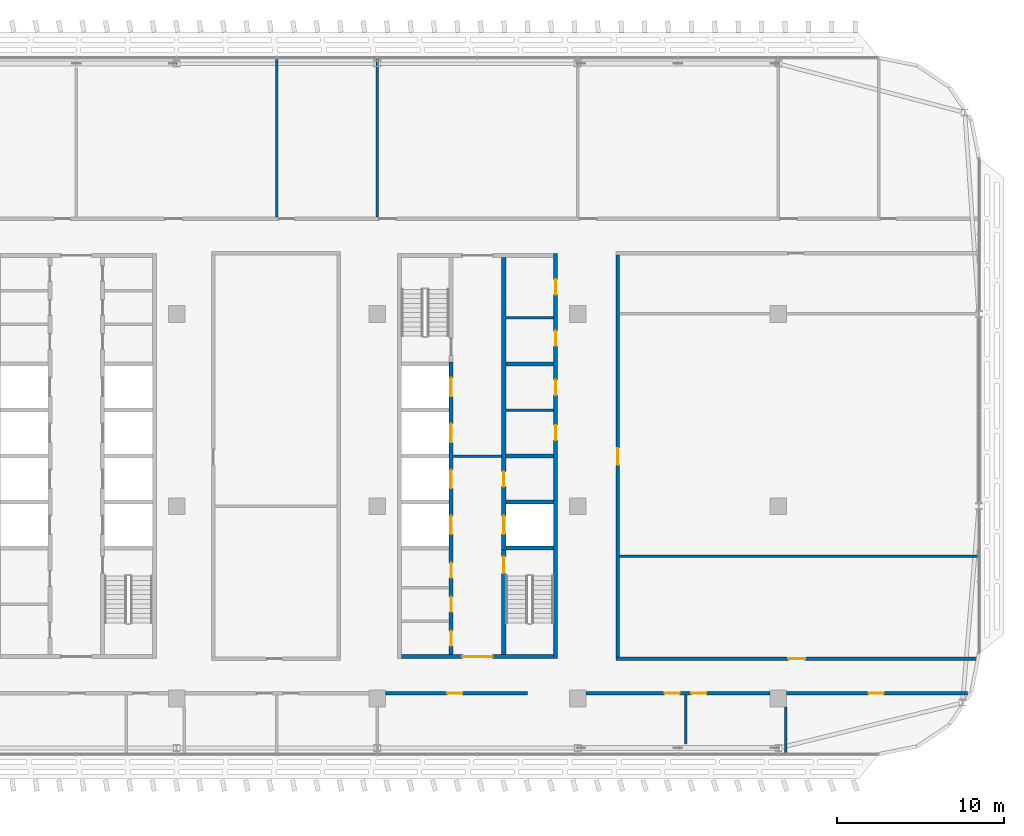
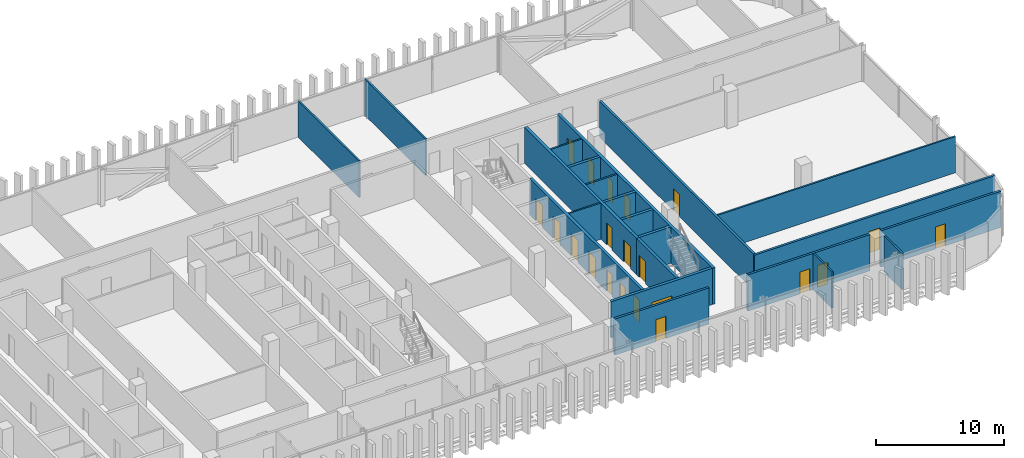
# One storey, part 21 of 35: 22 walls, 21 doors, 21 openings.
"""IFC4 building model written with IfcOpenShell, lengths in metres."""

from ifc_helpers import new_model, si_unit, direction, frame, frame_2d, origin, place, context, subcontext, project, spatial, rectangle, extrude, material, layer, layer_set, type_object, element, fill, save


model = new_model("IFC4")

# Units and contexts
model_context = context("Model", 3, precision=1e-05, world=origin(), true_north=direction((0.0, 1.0)))
body_context = subcontext(model_context, "Body", "Model", "MODEL_VIEW")
ifc_project = project(units=[si_unit("LENGTHUNIT", "METRE"), si_unit("AREAUNIT", "SQUARE_METRE"), si_unit("VOLUMEUNIT", "CUBIC_METRE"), si_unit("PLANEANGLEUNIT", "RADIAN"), si_unit("MASSUNIT", "GRAM", prefix="KILO")], contexts=[model_context])

# Site, building, storey
site_placement = place(None, origin())
site = spatial("IfcSite", under=ifc_project, at=site_placement, CompositionType="ELEMENT")
building_placement = place(site_placement, origin())
building = spatial("IfcBuilding", under=site, at=building_placement, Name="Mahtab Terrace Research Tower", CompositionType="ELEMENT")
storey_placement = place(building_placement, frame((0.0, 0.0, 251.39990234375)))
storey = spatial("IfcBuildingStorey", under=building, at=storey_placement, Name="L61", CompositionType="ELEMENT", Elevation=251.39990234375)

# Walls
ifc_material_1 = material(Name="Gypsum board partition")
ifc_layer_1 = layer(ifc_material_1, 0.14990234375)
ifc_layer_set_1 = layer_set([ifc_layer_1], Name="Core partition 150")
wall_type_1 = type_object("IfcWallType", Name="Core partition 150", PredefinedType="PARTITIONING", material=ifc_layer_set_1)
wall_1_placement = place(storey_placement, frame((22.550048828125, 3.0, 0.0), z_axis=(0.0, 0.0, 1.0), x_axis=(1.0, 0.0, 0.0)))
element("IfcWall", 1, at=wall_1_placement, inside=storey, type_object=wall_type_1, Name="Core wall C ffl", PredefinedType="PARTITIONING", context=body_context, shape_type="SweptSolid", body=[
    extrude(rectangle(XDim=2.89990234375, YDim=0.14990234375, at=frame_2d((1.449951171875, 0.0))), origin(), (0.0, 0.0, 1.0), 3.460205078125),
])
for number, where, z_axis, x_axis, name in (
    (2, (25.699951171875, 5.75, 0.0), (0.0, 0.0, 1.0), (1.0, 0.0, 0.0), "Core wall C pEL275"),
    (3, (25.699951171875, 11.27490234375, 0.0), (0.0, 0.0, 1.0), (1.0, 0.0, 0.0), "Core wall C pEN828"),
):
    element("IfcWall", number, at=place(storey_placement, frame(where, z_axis=z_axis, x_axis=x_axis)), inside=storey, type_object=wall_type_1, Name=name, PredefinedType="PARTITIONING", context=body_context, shape_type="SweptSolid", body=[
        extrude(rectangle(XDim=2.85009765625, YDim=0.14990234375, at=frame_2d((1.425048828125, 0.0))), origin(), (0.0, 0.0, 1.0), 3.460205078125),
    ])

# Wall, openings, doors
ifc_material_2 = material(Name="Concrete C70/85", Category="concrete")
ifc_layer_2 = layer(ifc_material_2, 0.25)
ifc_layer_set_2 = layer_set([ifc_layer_2], Name="Core wall 250")
wall_type_2 = type_object("IfcWallType", Name="Core wall 250", PredefinedType="SOLIDWALL", material=ifc_layer_set_2)
wall_2_placement = place(storey_placement, frame((28.675048828125, -9.125, 0.0), z_axis=(0.0, 0.0, 1.0), x_axis=(0.0, 1.0, 0.0)))
wall_2 = element("IfcWall", 4, at=wall_2_placement, inside=storey, type_object=wall_type_2, Name="Core wall C outerE", PredefinedType="SOLIDWALL", context=body_context, shape_type="SweptSolid", body=[
    extrude(rectangle(XDim=24.25, YDim=0.25, at=frame_2d((12.125, 0.0))), origin(), (0.0, 0.0, 1.0), 3.460205078125),
])
opening_1_placement = place(wall_2_placement, frame((13.074951171875, 0.0, 0.0)))
opening_1 = element("IfcOpeningElement", 5, at=opening_1_placement, cuts=wall_2, Name="Opening C-R2", PredefinedType="OPENING", context=body_context, shape_type="SweptSolid", body=[
    extrude(rectangle(XDim=0.89990234375, YDim=2.10009765625, at=frame_2d((0.449951171875, 1.050048828125))), frame((0.0, 0.135009765625, 0.0), z_axis=(0.0, -1.0, 0.0), x_axis=(1.0, 0.0, 0.0)), (0.0, 0.0, 1.0), 0.27001953125),
])
opening_2_placement = place(wall_2_placement, frame((15.77490234375, 0.0, 0.0)))
opening_2 = element("IfcOpeningElement", 6, at=opening_2_placement, cuts=wall_2, Name="Opening C-R3", PredefinedType="OPENING", context=body_context, shape_type="SweptSolid", body=[
    extrude(rectangle(XDim=0.89990234375, YDim=2.10009765625, at=frame_2d((0.449951171875, 1.050048828125))), frame((0.0, 0.135009765625, 0.0), z_axis=(0.0, -1.0, 0.0), x_axis=(1.0, 0.0, 0.0)), (0.0, 0.0, 1.0), 0.27001953125),
])
opening_3_placement = place(wall_2_placement, frame((18.71240234375, 0.0, 0.0)))
opening_3 = element("IfcOpeningElement", 7, at=opening_3_placement, cuts=wall_2, Name="Opening C-R7", PredefinedType="OPENING", context=body_context, shape_type="SweptSolid", body=[
    extrude(rectangle(XDim=0.89990234375, YDim=2.10009765625, at=frame_2d((0.449951171875, 1.050048828125))), frame((0.0, 0.135009765625, 0.0), z_axis=(0.0, -1.0, 0.0), x_axis=(1.0, 0.0, 0.0)), (0.0, 0.0, 1.0), 0.27001953125),
])
opening_4_placement = place(wall_2_placement, frame((21.78759765625, 0.0, 0.0)))
opening_4 = element("IfcOpeningElement", 8, at=opening_4_placement, cuts=wall_2, Name="Opening C-R8", PredefinedType="OPENING", context=body_context, shape_type="SweptSolid", body=[
    extrude(rectangle(XDim=0.89990234375, YDim=2.10009765625, at=frame_2d((0.449951171875, 1.050048828125))), frame((0.0, 0.135009765625, 0.0), z_axis=(0.0, -1.0, 0.0), x_axis=(1.0, 0.0, 0.0)), (0.0, 0.0, 1.0), 0.27001953125),
])
ifc_material_3 = material(Name="Steel fire door", Category="steel")
door_type_1 = type_object("IfcDoorType", Name="Room door 900x2100 1 HR", OperationType="NOTDEFINED", PredefinedType="DOOR", material=ifc_material_3)
door_1_placement = place(opening_1_placement, origin())
door_1 = element("IfcDoor", 9, at=door_1_placement, inside=storey, type_object=door_type_1, Name="Document store door", OperationType="SINGLE_SWING_RIGHT", OverallHeight=2.10009765625, OverallWidth=0.89990234375, PredefinedType="DOOR", context=body_context, shape_type="SweptSolid", body=[
    extrude(rectangle(XDim=0.89990234375, YDim=2.10009765625, at=frame_2d((0.449951171875, 1.050048828125))), frame((0.0, 0.02490234375, 0.0), z_axis=(0.0, -1.0, 0.0), x_axis=(1.0, 0.0, 0.0)), (0.0, 0.0, 1.0), 0.050048828125),
])
fill(opening_1, door_1)
door_2_placement = place(opening_2_placement, origin())
door_2 = element("IfcDoor", 10, at=door_2_placement, inside=storey, type_object=door_type_1, Name="IT equipment room door", OperationType="SINGLE_SWING_LEFT", OverallHeight=2.10009765625, OverallWidth=0.89990234375, PredefinedType="DOOR", context=body_context, shape_type="SweptSolid", body=[
    extrude(rectangle(XDim=0.89990234375, YDim=2.10009765625, at=frame_2d((0.449951171875, 1.050048828125))), frame((0.0, 0.02490234375, 0.0), z_axis=(0.0, -1.0, 0.0), x_axis=(1.0, 0.0, 0.0)), (0.0, 0.0, 1.0), 0.050048828125),
])
fill(opening_2, door_2)
door_3_placement = place(opening_3_placement, origin())
door_3 = element("IfcDoor", 11, at=door_3_placement, inside=storey, type_object=door_type_1, Name="Mechanical riser room door", OperationType="SINGLE_SWING_LEFT", OverallHeight=2.10009765625, OverallWidth=0.89990234375, PredefinedType="DOOR", context=body_context, shape_type="SweptSolid", body=[
    extrude(rectangle(XDim=0.89990234375, YDim=2.10009765625, at=frame_2d((0.449951171875, 1.050048828125))), frame((0.0, 0.02490234375, 0.0), z_axis=(0.0, -1.0, 0.0), x_axis=(1.0, 0.0, 0.0)), (0.0, 0.0, 1.0), 0.050048828125),
])
fill(opening_3, door_3)
door_4_placement = place(opening_4_placement, origin())
door_4 = element("IfcDoor", 12, at=door_4_placement, inside=storey, type_object=door_type_1, Name="Chemical store door", OperationType="SINGLE_SWING_RIGHT", OverallHeight=2.10009765625, OverallWidth=0.89990234375, PredefinedType="DOOR", context=body_context, shape_type="SweptSolid", body=[
    extrude(rectangle(XDim=0.89990234375, YDim=2.10009765625, at=frame_2d((0.449951171875, 1.050048828125))), frame((0.0, 0.02490234375, 0.0), z_axis=(0.0, -1.0, 0.0), x_axis=(1.0, 0.0, 0.0)), (0.0, 0.0, 1.0), 0.050048828125),
])
fill(opening_4, door_4)

# Wall, opening, door
wall_3_placement = place(storey_placement, frame((28.550048828125, -9.0, 0.0), z_axis=(0.0, 0.0, 1.0), x_axis=(-1.0, 0.0, 0.0)))
wall_3 = element("IfcWall", 13, at=wall_3_placement, inside=storey, type_object=wall_type_2, Name="Core wall C endS", PredefinedType="SOLIDWALL", context=body_context, shape_type="SweptSolid", body=[
    extrude(rectangle(XDim=9.10009765625, YDim=0.25, at=frame_2d((4.550048828125, 0.0))), origin(), (0.0, 0.0, 1.0), 3.460205078125),
])
opening_5_placement = place(wall_3_placement, frame((3.64990234375, 0.0, 0.0)))
opening_5 = element("IfcOpeningElement", 14, at=opening_5_placement, cuts=wall_3, Name="Opening C-S1", PredefinedType="OPENING", context=body_context, shape_type="SweptSolid", body=[
    extrude(rectangle(XDim=1.800048828125, YDim=2.10009765625, at=frame_2d((0.89990234375, 1.050048828125))), frame((0.0, 0.135009765625, 0.0), z_axis=(0.0, -1.0, 0.0), x_axis=(1.0, 0.0, 0.0)), (0.0, 0.0, 1.0), 0.27001953125),
])
door_type_2 = type_object("IfcDoorType", Name="Lobby double door 1800x2100 1 HR", OperationType="DOUBLE_DOOR_SINGLE_SWING", PredefinedType="DOOR", material=ifc_material_3)
door_5_placement = place(opening_5_placement, origin())
door_5 = element("IfcDoor", 15, at=door_5_placement, inside=storey, type_object=door_type_2, Name="Core entrance door C S", OperationType="DOUBLE_DOOR_SINGLE_SWING", OverallHeight=2.10009765625, OverallWidth=1.800048828125, PredefinedType="DOOR", context=body_context, shape_type="SweptSolid", body=[
    extrude(rectangle(XDim=1.800048828125, YDim=2.10009765625, at=frame_2d((0.89990234375, 1.050048828125))), frame((0.0, 0.02490234375, 0.0), z_axis=(0.0, -1.0, 0.0), x_axis=(1.0, 0.0, 0.0)), (0.0, 0.0, 1.0), 0.050048828125),
])
fill(opening_5, door_5)

# Wall, openings, doors
wall_4_placement = place(storey_placement, frame((22.425048828125, -8.875, 0.0), z_axis=(0.0, 0.0, 1.0), x_axis=(0.0, 1.0, 0.0)))
wall_4 = element("IfcWall", 16, at=wall_4_placement, inside=storey, type_object=wall_type_2, Name="Core wall C innerWSL", PredefinedType="SOLIDWALL", context=body_context, shape_type="SweptSolid", body=[
    extrude(rectangle(XDim=17.5, YDim=0.25, at=frame_2d((8.75, 0.0))), origin(), (0.0, 0.0, 1.0), 3.460205078125),
])
opening_6_placement = place(wall_4_placement, frame((7.199951171875, 0.0, 0.0)))
opening_6 = element("IfcOpeningElement", 17, at=opening_6_placement, cuts=wall_4, Name="Opening LD17-L61", PredefinedType="OPENING", context=body_context, shape_type="SweptSolid", body=[
    extrude(rectangle(XDim=1.10009765625, YDim=2.10009765625, at=frame_2d((0.550048828125, 1.050048828125))), frame((0.0, 0.135009765625, 0.0), z_axis=(0.0, -1.0, 0.0), x_axis=(1.0, 0.0, 0.0)), (0.0, 0.0, 1.0), 0.27001953125),
])
opening_7_placement = place(wall_4_placement, frame((9.949951171875, 0.0, 0.0)))
opening_7 = element("IfcOpeningElement", 18, at=opening_7_placement, cuts=wall_4, Name="Opening LD18-L61", PredefinedType="OPENING", context=body_context, shape_type="SweptSolid", body=[
    extrude(rectangle(XDim=1.10009765625, YDim=2.10009765625, at=frame_2d((0.550048828125, 1.050048828125))), frame((0.0, 0.135009765625, 0.0), z_axis=(0.0, -1.0, 0.0), x_axis=(1.0, 0.0, 0.0)), (0.0, 0.0, 1.0), 0.27001953125),
])
opening_8_placement = place(wall_4_placement, frame((12.699951171875, 0.0, 0.0)))
opening_8 = element("IfcOpeningElement", 19, at=opening_8_placement, cuts=wall_4, Name="Opening LD19-L61", PredefinedType="OPENING", context=body_context, shape_type="SweptSolid", body=[
    extrude(rectangle(XDim=1.10009765625, YDim=2.10009765625, at=frame_2d((0.550048828125, 1.050048828125))), frame((0.0, 0.135009765625, 0.0), z_axis=(0.0, -1.0, 0.0), x_axis=(1.0, 0.0, 0.0)), (0.0, 0.0, 1.0), 0.27001953125),
])
opening_9_placement = place(wall_4_placement, frame((15.449951171875, 0.0, 0.0)))
opening_9 = element("IfcOpeningElement", 20, at=opening_9_placement, cuts=wall_4, Name="Opening LD20-L61", PredefinedType="OPENING", context=body_context, shape_type="SweptSolid", body=[
    extrude(rectangle(XDim=1.10009765625, YDim=2.10009765625, at=frame_2d((0.550048828125, 1.050048828125))), frame((0.0, 0.135009765625, 0.0), z_axis=(0.0, -1.0, 0.0), x_axis=(1.0, 0.0, 0.0)), (0.0, 0.0, 1.0), 0.27001953125),
])
opening_10_placement = place(wall_4_placement, frame((0.512451171875, 0.0, 0.0)))
opening_10 = element("IfcOpeningElement", 21, at=opening_10_placement, cuts=wall_4, Name="Opening C-R4", PredefinedType="OPENING", context=body_context, shape_type="SweptSolid", body=[
    extrude(rectangle(XDim=0.89990234375, YDim=2.10009765625, at=frame_2d((0.449951171875, 1.050048828125))), frame((0.0, 0.135009765625, 0.0), z_axis=(0.0, -1.0, 0.0), x_axis=(1.0, 0.0, 0.0)), (0.0, 0.0, 1.0), 0.27001953125),
])
opening_11_placement = place(wall_4_placement, frame((2.550048828125, 0.0, 0.0)))
opening_11 = element("IfcOpeningElement", 22, at=opening_11_placement, cuts=wall_4, Name="Opening C-R5", PredefinedType="OPENING", context=body_context, shape_type="SweptSolid", body=[
    extrude(rectangle(XDim=0.89990234375, YDim=2.10009765625, at=frame_2d((0.449951171875, 1.050048828125))), frame((0.0, 0.135009765625, 0.0), z_axis=(0.0, -1.0, 0.0), x_axis=(1.0, 0.0, 0.0)), (0.0, 0.0, 1.0), 0.27001953125),
])
opening_12_placement = place(wall_4_placement, frame((4.58740234375, 0.0, 0.0)))
opening_12 = element("IfcOpeningElement", 23, at=opening_12_placement, cuts=wall_4, Name="Opening C-R6", PredefinedType="OPENING", context=body_context, shape_type="SweptSolid", body=[
    extrude(rectangle(XDim=0.89990234375, YDim=2.10009765625, at=frame_2d((0.449951171875, 1.050048828125))), frame((0.0, 0.135009765625, 0.0), z_axis=(0.0, -1.0, 0.0), x_axis=(1.0, 0.0, 0.0)), (0.0, 0.0, 1.0), 0.27001953125),
])
ifc_material_4 = material(Name="Stainless steel AISI 304", Category="steel")
door_type_3 = type_object("IfcDoorType", Name="Landing door 1100x2100", OperationType="DOUBLE_DOOR_SLIDING", PredefinedType="DOOR", material=ifc_material_4)
door_6_placement = place(opening_6_placement, origin())
door_6 = element("IfcDoor", 24, at=door_6_placement, inside=storey, type_object=door_type_3, Name="Landing door SV1 L61", OperationType="DOUBLE_DOOR_SLIDING", OverallHeight=2.10009765625, OverallWidth=1.10009765625, PredefinedType="DOOR", context=body_context, shape_type="SweptSolid", body=[
    extrude(rectangle(XDim=1.10009765625, YDim=2.10009765625, at=frame_2d((0.550048828125, 1.050048828125))), frame((0.0, 0.02490234375, 0.0), z_axis=(0.0, -1.0, 0.0), x_axis=(1.0, 0.0, 0.0)), (0.0, 0.0, 1.0), 0.050048828125),
])
fill(opening_6, door_6)
door_7_placement = place(opening_7_placement, origin())
door_7 = element("IfcDoor", 25, at=door_7_placement, inside=storey, type_object=door_type_3, Name="Landing door SV2 L61", OperationType="DOUBLE_DOOR_SLIDING", OverallHeight=2.10009765625, OverallWidth=1.10009765625, PredefinedType="DOOR", context=body_context, shape_type="SweptSolid", body=[
    extrude(rectangle(XDim=1.10009765625, YDim=2.10009765625, at=frame_2d((0.550048828125, 1.050048828125))), frame((0.0, 0.02490234375, 0.0), z_axis=(0.0, -1.0, 0.0), x_axis=(1.0, 0.0, 0.0)), (0.0, 0.0, 1.0), 0.050048828125),
])
fill(opening_7, door_7)
door_8_placement = place(opening_8_placement, origin())
door_8 = element("IfcDoor", 26, at=door_8_placement, inside=storey, type_object=door_type_3, Name="Landing door FF1 L61", OperationType="DOUBLE_DOOR_SLIDING", OverallHeight=2.10009765625, OverallWidth=1.10009765625, PredefinedType="DOOR", context=body_context, shape_type="SweptSolid", body=[
    extrude(rectangle(XDim=1.10009765625, YDim=2.10009765625, at=frame_2d((0.550048828125, 1.050048828125))), frame((0.0, 0.02490234375, 0.0), z_axis=(0.0, -1.0, 0.0), x_axis=(1.0, 0.0, 0.0)), (0.0, 0.0, 1.0), 0.050048828125),
])
fill(opening_8, door_8)
door_9_placement = place(opening_9_placement, origin())
door_9 = element("IfcDoor", 27, at=door_9_placement, inside=storey, type_object=door_type_3, Name="Landing door FF2 L61", OperationType="DOUBLE_DOOR_SLIDING", OverallHeight=2.10009765625, OverallWidth=1.10009765625, PredefinedType="DOOR", context=body_context, shape_type="SweptSolid", body=[
    extrude(rectangle(XDim=1.10009765625, YDim=2.10009765625, at=frame_2d((0.550048828125, 1.050048828125))), frame((0.0, 0.02490234375, 0.0), z_axis=(0.0, -1.0, 0.0), x_axis=(1.0, 0.0, 0.0)), (0.0, 0.0, 1.0), 0.050048828125),
])
fill(opening_9, door_9)
door_10_placement = place(opening_10_placement, origin())
door_10 = element("IfcDoor", 28, at=door_10_placement, inside=storey, type_object=door_type_1, Name="Male WC door", OperationType="SINGLE_SWING_RIGHT", OverallHeight=2.10009765625, OverallWidth=0.89990234375, PredefinedType="DOOR", context=body_context, shape_type="SweptSolid", body=[
    extrude(rectangle(XDim=0.89990234375, YDim=2.10009765625, at=frame_2d((0.449951171875, 1.050048828125))), frame((0.0, 0.02490234375, 0.0), z_axis=(0.0, -1.0, 0.0), x_axis=(1.0, 0.0, 0.0)), (0.0, 0.0, 1.0), 0.050048828125),
])
fill(opening_10, door_10)
door_11_placement = place(opening_11_placement, origin())
door_11 = element("IfcDoor", 29, at=door_11_placement, inside=storey, type_object=door_type_1, Name="Female WC door", OperationType="SINGLE_SWING_LEFT", OverallHeight=2.10009765625, OverallWidth=0.89990234375, PredefinedType="DOOR", context=body_context, shape_type="SweptSolid", body=[
    extrude(rectangle(XDim=0.89990234375, YDim=2.10009765625, at=frame_2d((0.449951171875, 1.050048828125))), frame((0.0, 0.02490234375, 0.0), z_axis=(0.0, -1.0, 0.0), x_axis=(1.0, 0.0, 0.0)), (0.0, 0.0, 1.0), 0.050048828125),
])
fill(opening_11, door_11)
door_12_placement = place(opening_12_placement, origin())
door_12 = element("IfcDoor", 30, at=door_12_placement, inside=storey, type_object=door_type_1, Name="Accessible WC door", OperationType="SINGLE_SWING_RIGHT", OverallHeight=2.10009765625, OverallWidth=0.89990234375, PredefinedType="DOOR", context=body_context, shape_type="SweptSolid", body=[
    extrude(rectangle(XDim=0.89990234375, YDim=2.10009765625, at=frame_2d((0.449951171875, 1.050048828125))), frame((0.0, 0.02490234375, 0.0), z_axis=(0.0, -1.0, 0.0), x_axis=(1.0, 0.0, 0.0)), (0.0, 0.0, 1.0), 0.050048828125),
])
fill(opening_12, door_12)

# Wall, opening, door
wall_5_placement = place(storey_placement, frame((25.574951171875, -8.875, 0.0), z_axis=(0.0, 0.0, 1.0), x_axis=(0.0, 1.0, 0.0)))
wall_5 = element("IfcWall", 31, at=wall_5_placement, inside=storey, type_object=wall_type_2, Name="Core wall C innerES", PredefinedType="SOLIDWALL", context=body_context, shape_type="SweptSolid", body=[
    extrude(rectangle(XDim=6.25, YDim=0.25, at=frame_2d((3.125, 0.0))), origin(), (0.0, 0.0, 1.0), 3.460205078125),
])
opening_13_placement = place(wall_5_placement, frame((4.85009765625, 0.0, 0.0)))
opening_13 = element("IfcOpeningElement", 32, at=opening_13_placement, cuts=wall_5, Name="Opening C-ST4", PredefinedType="OPENING", context=body_context, shape_type="SweptSolid", body=[
    extrude(rectangle(XDim=1.0, YDim=2.10009765625, at=frame_2d((0.5, 1.050048828125))), frame((0.0, 0.135009765625, 0.0), z_axis=(0.0, -1.0, 0.0), x_axis=(1.0, 0.0, 0.0)), (0.0, 0.0, 1.0), 0.27001953125),
])
door_type_4 = type_object("IfcDoorType", Name="Stair door 1000x2100 1.5 HR", OperationType="NOTDEFINED", PredefinedType="DOOR", material=ifc_material_3)
door_13_placement = place(opening_13_placement, origin())
door_13 = element("IfcDoor", 33, at=door_13_placement, inside=storey, type_object=door_type_4, Name="Stair door ST4 L61", OperationType="SINGLE_SWING_RIGHT", OverallHeight=2.10009765625, OverallWidth=1.0, PredefinedType="DOOR", context=body_context, shape_type="SweptSolid", body=[
    extrude(rectangle(XDim=1.0, YDim=2.10009765625, at=frame_2d((0.5, 1.050048828125))), frame((0.0, 0.02490234375, 0.0), z_axis=(0.0, -1.0, 0.0), x_axis=(1.0, 0.0, 0.0)), (0.0, 0.0, 1.0), 0.050048828125),
])
fill(opening_13, door_13)

# Wall, openings, doors
wall_6_placement = place(storey_placement, frame((25.574951171875, 14.875, 0.0), z_axis=(0.0, 0.0, 1.0), x_axis=(0.0, -1.0, 0.0)))
wall_6 = element("IfcWall", 34, at=wall_6_placement, inside=storey, type_object=wall_type_2, Name="Core wall C innerELN", PredefinedType="SOLIDWALL", context=body_context, shape_type="SweptSolid", body=[
    extrude(rectangle(XDim=17.5, YDim=0.25, at=frame_2d((8.75, 0.0))), origin(), (0.0, 0.0, 1.0), 3.460205078125),
])
opening_14_placement = place(wall_6_placement, frame((15.449951171875, 0.0, 0.0)))
opening_14 = element("IfcOpeningElement", 35, at=opening_14_placement, cuts=wall_6, Name="Opening LD21-L61", PredefinedType="OPENING", context=body_context, shape_type="SweptSolid", body=[
    extrude(rectangle(XDim=1.10009765625, YDim=2.10009765625, at=frame_2d((0.550048828125, 1.050048828125))), frame((0.0, 0.135009765625, 0.0), z_axis=(0.0, -1.0, 0.0), x_axis=(1.0, 0.0, 0.0)), (0.0, 0.0, 1.0), 0.27001953125),
])
opening_15_placement = place(wall_6_placement, frame((12.800048828125, 0.0, 0.0)))
opening_15 = element("IfcOpeningElement", 36, at=opening_15_placement, cuts=wall_6, Name="Opening C-R1", PredefinedType="OPENING", context=body_context, shape_type="SweptSolid", body=[
    extrude(rectangle(XDim=0.89990234375, YDim=2.10009765625, at=frame_2d((0.449951171875, 1.050048828125))), frame((0.0, 0.135009765625, 0.0), z_axis=(0.0, -1.0, 0.0), x_axis=(1.0, 0.0, 0.0)), (0.0, 0.0, 1.0), 0.27001953125),
])
door_14_placement = place(opening_14_placement, origin())
door_14 = element("IfcDoor", 37, at=door_14_placement, inside=storey, type_object=door_type_3, Name="Landing door SV3 L61", OperationType="DOUBLE_DOOR_SLIDING", OverallHeight=2.10009765625, OverallWidth=1.10009765625, PredefinedType="DOOR", context=body_context, shape_type="SweptSolid", body=[
    extrude(rectangle(XDim=1.10009765625, YDim=2.10009765625, at=frame_2d((0.550048828125, 1.050048828125))), frame((0.0, 0.02490234375, 0.0), z_axis=(0.0, -1.0, 0.0), x_axis=(1.0, 0.0, 0.0)), (0.0, 0.0, 1.0), 0.050048828125),
])
fill(opening_14, door_14)
door_15_placement = place(opening_15_placement, origin())
door_15 = element("IfcDoor", 38, at=door_15_placement, inside=storey, type_object=door_type_1, Name="Plant room door", OperationType="SINGLE_SWING_LEFT", OverallHeight=2.10009765625, OverallWidth=0.89990234375, PredefinedType="DOOR", context=body_context, shape_type="SweptSolid", body=[
    extrude(rectangle(XDim=0.89990234375, YDim=2.10009765625, at=frame_2d((0.449951171875, 1.050048828125))), frame((0.0, 0.02490234375, 0.0), z_axis=(0.0, -1.0, 0.0), x_axis=(1.0, 0.0, 0.0)), (0.0, 0.0, 1.0), 0.050048828125),
])
fill(opening_15, door_15)

# Walls
for number, where, z_axis, x_axis, name in (
    (39, (25.699951171875, -2.5, 0.0), (0.0, 0.0, 1.0), (1.0, 0.0, 0.0), "Core wall C divE0"),
    (40, (25.699951171875, 0.25, 0.0), (0.0, 0.0, 1.0), (1.0, 0.0, 0.0), "Core wall C divE1"),
    (41, (25.699951171875, 3.0, 0.0), (0.0, 0.0, 1.0), (1.0, 0.0, 0.0), "Core wall C divE2"),
    (42, (25.699951171875, 8.5, 0.0), (0.0, 0.0, 1.0), (1.0, 0.0, 0.0), "Core wall C divE4"),
):
    element("IfcWall", number, at=place(storey_placement, frame(where, z_axis=z_axis, x_axis=x_axis)), inside=storey, type_object=wall_type_2, Name=name, PredefinedType="SOLIDWALL", context=body_context, shape_type="SweptSolid", body=[
        extrude(rectangle(XDim=2.85009765625, YDim=0.25, at=frame_2d((1.425048828125, 0.0))), origin(), (0.0, 0.0, 1.0), 3.460205078125),
    ])

# Wall, opening, door
ifc_material_5 = material(Name="Gypsum board corridor wall on steel studs", Category="steel")
ifc_layer_3 = layer(ifc_material_5, 0.199951171875)
ifc_layer_set_3 = layer_set([ifc_layer_3], Name="WALL CORRIDOR 200")
wall_type_3 = type_object("IfcWallType", Name="WALL CORRIDOR 200", PredefinedType="PARTITIONING", material=ifc_layer_set_3)
wall_7_placement = place(storey_placement, frame((18.5, -11.199951171875, 0.0), z_axis=(0.0, 0.0, 1.0), x_axis=(1.0, 0.0, 0.0)))
wall_7 = element("IfcWall", 43, at=wall_7_placement, inside=storey, type_object=wall_type_3, Name="L61-W006", PredefinedType="PARTITIONING", context=body_context, shape_type="SweptSolid", body=[
    extrude(rectangle(XDim=8.5, YDim=0.199951171875, at=frame_2d((4.25, 0.0))), origin(), (0.0, 0.0, 1.0), 3.460205078125),
])
opening_16_placement = place(wall_7_placement, frame((3.699951171875, 0.0, 0.0)))
opening_16 = element("IfcOpeningElement", 44, at=opening_16_placement, cuts=wall_7, Name="Opening L61-110", PredefinedType="OPENING", context=body_context, shape_type="SweptSolid", body=[
    extrude(rectangle(XDim=0.89990234375, YDim=2.10009765625, at=frame_2d((0.449951171875, 1.050048828125))), frame((0.0, 0.10986328125, 0.0), z_axis=(0.0, -1.0, 0.0), x_axis=(1.0, 0.0, 0.0)), (0.0, 0.0, 1.0), 0.219970703125),
])
ifc_material_6 = material(Name="Timber door leaf in steel frame", Category="steel")
door_type_5 = type_object("IfcDoorType", Name="DOOR 0900X2100 FD30S", OperationType="SINGLE_SWING_LEFT", PredefinedType="DOOR", material=ifc_material_6)
door_16_placement = place(opening_16_placement, origin())
door_16 = element("IfcDoor", 45, at=door_16_placement, inside=storey, type_object=door_type_5, Name="Door L61-110", OperationType="SINGLE_SWING_RIGHT", OverallHeight=2.10009765625, OverallWidth=0.89990234375, PredefinedType="DOOR", context=body_context, shape_type="SweptSolid", body=[
    extrude(rectangle(XDim=0.89990234375, YDim=2.10009765625, at=frame_2d((0.449951171875, 1.050048828125))), frame((0.0, 0.02490234375, 0.0), z_axis=(0.0, -1.0, 0.0), x_axis=(1.0, 0.0, 0.0)), (0.0, 0.0, 1.0), 0.050048828125),
])
fill(opening_16, door_16)

# Wall, openings, doors
wall_8_placement = place(storey_placement, frame((30.5, -11.199951171875, 0.0), z_axis=(0.0, 0.0, 1.0), x_axis=(1.0, 0.0, 0.0)))
wall_8 = element("IfcWall", 46, at=wall_8_placement, inside=storey, type_object=wall_type_3, Name="L61-W007", PredefinedType="PARTITIONING", context=body_context, shape_type="SweptSolid", body=[
    extrude(rectangle(XDim=11.0, YDim=0.199951171875, at=frame_2d((5.5, 0.0))), origin(), (0.0, 0.0, 1.0), 3.460205078125),
])
opening_17_placement = place(wall_8_placement, frame((4.699951171875, 0.0, 0.0)))
opening_17 = element("IfcOpeningElement", 47, at=opening_17_placement, cuts=wall_8, Name="Opening L61-111", PredefinedType="OPENING", context=body_context, shape_type="SweptSolid", body=[
    extrude(rectangle(XDim=0.89990234375, YDim=2.10009765625, at=frame_2d((0.449951171875, 1.050048828125))), frame((0.0, 0.10986328125, 0.0), z_axis=(0.0, -1.0, 0.0), x_axis=(1.0, 0.0, 0.0)), (0.0, 0.0, 1.0), 0.219970703125),
])
opening_18_placement = place(wall_8_placement, frame((6.300048828125, 0.0, 0.0)))
opening_18 = element("IfcOpeningElement", 48, at=opening_18_placement, cuts=wall_8, Name="Opening L61-112", PredefinedType="OPENING", context=body_context, shape_type="SweptSolid", body=[
    extrude(rectangle(XDim=0.89990234375, YDim=2.10009765625, at=frame_2d((0.449951171875, 1.050048828125))), frame((0.0, 0.10986328125, 0.0), z_axis=(0.0, -1.0, 0.0), x_axis=(1.0, 0.0, 0.0)), (0.0, 0.0, 1.0), 0.219970703125),
])
door_17_placement = place(opening_17_placement, origin())
door_17 = element("IfcDoor", 49, at=door_17_placement, inside=storey, type_object=door_type_5, Name="Door L61-111", OperationType="SINGLE_SWING_RIGHT", OverallHeight=2.10009765625, OverallWidth=0.89990234375, PredefinedType="DOOR", context=body_context, shape_type="SweptSolid", body=[
    extrude(rectangle(XDim=0.89990234375, YDim=2.10009765625, at=frame_2d((0.449951171875, 1.050048828125))), frame((0.0, 0.02490234375, 0.0), z_axis=(0.0, -1.0, 0.0), x_axis=(1.0, 0.0, 0.0)), (0.0, 0.0, 1.0), 0.050048828125),
])
fill(opening_17, door_17)
door_18_placement = place(opening_18_placement, origin())
door_18 = element("IfcDoor", 50, at=door_18_placement, inside=storey, type_object=door_type_5, Name="Door L61-112", OperationType="SINGLE_SWING_LEFT", OverallHeight=2.10009765625, OverallWidth=0.89990234375, PredefinedType="DOOR", context=body_context, shape_type="SweptSolid", body=[
    extrude(rectangle(XDim=0.89990234375, YDim=2.10009765625, at=frame_2d((0.449951171875, 1.050048828125))), frame((0.0, 0.02490234375, 0.0), z_axis=(0.0, -1.0, 0.0), x_axis=(1.0, 0.0, 0.0)), (0.0, 0.0, 1.0), 0.050048828125),
])
fill(opening_18, door_18)

# Wall, opening, door
wall_9_placement = place(storey_placement, frame((42.5, -11.199951171875, 0.0), z_axis=(0.0, 0.0, 1.0), x_axis=(1.0, 0.0, 0.0)))
wall_9 = element("IfcWall", 51, at=wall_9_placement, inside=storey, type_object=wall_type_3, Name="L61-W008", PredefinedType="PARTITIONING", context=body_context, shape_type="SweptSolid", body=[
    extrude(rectangle(XDim=10.816162109375, YDim=0.199951171875, at=frame_2d((5.408203125, 0.0))), origin(), (0.0, 0.0, 1.0), 3.460205078125),
])
opening_19_placement = place(wall_9_placement, frame((4.89990234375, 0.0, 0.0)))
opening_19 = element("IfcOpeningElement", 52, at=opening_19_placement, cuts=wall_9, Name="Opening L61-113", PredefinedType="OPENING", context=body_context, shape_type="SweptSolid", body=[
    extrude(rectangle(XDim=0.89990234375, YDim=2.10009765625, at=frame_2d((0.449951171875, 1.050048828125))), frame((0.0, 0.10986328125, 0.0), z_axis=(0.0, -1.0, 0.0), x_axis=(1.0, 0.0, 0.0)), (0.0, 0.0, 1.0), 0.219970703125),
])
door_19_placement = place(opening_19_placement, origin())
door_19 = element("IfcDoor", 53, at=door_19_placement, inside=storey, type_object=door_type_5, Name="Door L61-113", OperationType="SINGLE_SWING_RIGHT", OverallHeight=2.10009765625, OverallWidth=0.89990234375, PredefinedType="DOOR", context=body_context, shape_type="SweptSolid", body=[
    extrude(rectangle(XDim=0.89990234375, YDim=2.10009765625, at=frame_2d((0.449951171875, 1.050048828125))), frame((0.0, 0.02490234375, 0.0), z_axis=(0.0, -1.0, 0.0), x_axis=(1.0, 0.0, 0.0)), (0.0, 0.0, 1.0), 0.050048828125),
])
fill(opening_19, door_19)

wall_10_placement = place(storey_placement, frame((32.300048828125, -9.125, 0.0), z_axis=(0.0, 0.0, 1.0), x_axis=(1.0, 0.0, 0.0)))
wall_10 = element("IfcWall", 54, at=wall_10_placement, inside=storey, type_object=wall_type_3, Name="L61-W012", PredefinedType="PARTITIONING", context=body_context, shape_type="SweptSolid", body=[
    extrude(rectangle(XDim=21.675048828125, YDim=0.199951171875, at=frame_2d((10.83740234375, 0.0))), origin(), (0.0, 0.0, 1.0), 3.460205078125),
])
opening_20_placement = place(wall_10_placement, frame((10.300048828125, 0.0, 0.0)))
opening_20 = element("IfcOpeningElement", 55, at=opening_20_placement, cuts=wall_10, Name="Opening L61-115", PredefinedType="OPENING", context=body_context, shape_type="SweptSolid", body=[
    extrude(rectangle(XDim=1.0, YDim=2.10009765625, at=frame_2d((0.5, 1.050048828125))), frame((0.0, 0.10986328125, 0.0), z_axis=(0.0, -1.0, 0.0), x_axis=(1.0, 0.0, 0.0)), (0.0, 0.0, 1.0), 0.219970703125),
])
door_type_6 = type_object("IfcDoorType", Name="DOOR 1000X2100 FD30S", OperationType="SINGLE_SWING_LEFT", PredefinedType="DOOR", material=ifc_material_6)
door_20_placement = place(opening_20_placement, origin())
door_20 = element("IfcDoor", 56, at=door_20_placement, inside=storey, type_object=door_type_6, Name="Door L61-115", OperationType="SINGLE_SWING_RIGHT", OverallHeight=2.10009765625, OverallWidth=1.0, PredefinedType="DOOR", context=body_context, shape_type="SweptSolid", body=[
    extrude(rectangle(XDim=1.0, YDim=2.10009765625, at=frame_2d((0.5, 1.050048828125))), frame((0.0, 0.02490234375, 0.0), z_axis=(0.0, -1.0, 0.0), x_axis=(1.0, 0.0, 0.0)), (0.0, 0.0, 1.0), 0.050048828125),
])
fill(opening_20, door_20)

wall_11_placement = place(storey_placement, frame((32.39990234375, -9.02490234375, 0.0), z_axis=(0.0, 0.0, 1.0), x_axis=(0.0, 1.0, 0.0)))
wall_11 = element("IfcWall", 57, at=wall_11_placement, inside=storey, type_object=wall_type_3, Name="L61-W046", PredefinedType="PARTITIONING", context=body_context, shape_type="SweptSolid", body=[
    extrude(rectangle(XDim=24.0498046875, YDim=0.199951171875, at=frame_2d((12.02490234375, 0.0))), origin(), (0.0, 0.0, 1.0), 3.460205078125),
])
opening_21_placement = place(wall_11_placement, frame((11.5, 0.0, 0.0)))
opening_21 = element("IfcOpeningElement", 58, at=opening_21_placement, cuts=wall_11, Name="Opening L61-119", PredefinedType="OPENING", context=body_context, shape_type="SweptSolid", body=[
    extrude(rectangle(XDim=1.0, YDim=2.10009765625, at=frame_2d((0.5, 1.050048828125))), frame((0.0, 0.10986328125, 0.0), z_axis=(0.0, -1.0, 0.0), x_axis=(1.0, 0.0, 0.0)), (0.0, 0.0, 1.0), 0.219970703125),
])
door_21_placement = place(opening_21_placement, origin())
door_21 = element("IfcDoor", 59, at=door_21_placement, inside=storey, type_object=door_type_6, Name="Door L61-119", OperationType="SINGLE_SWING_RIGHT", OverallHeight=2.10009765625, OverallWidth=1.0, PredefinedType="DOOR", context=body_context, shape_type="SweptSolid", body=[
    extrude(rectangle(XDim=1.0, YDim=2.10009765625, at=frame_2d((0.5, 1.050048828125))), frame((0.0, 0.02490234375, 0.0), z_axis=(0.0, -1.0, 0.0), x_axis=(1.0, 0.0, 0.0)), (0.0, 0.0, 1.0), 0.050048828125),
])
fill(opening_21, door_21)

# Walls
ifc_material_7 = material(Name="Gypsum board partition on steel studs", Category="steel")
ifc_layer_4 = layer(ifc_material_7, 0.14990234375)
ifc_layer_set_4 = layer_set([ifc_layer_4], Name="WALL PARTITION 150")
wall_type_4 = type_object("IfcWallType", Name="WALL PARTITION 150", PredefinedType="PARTITIONING", material=ifc_layer_set_4)
wall_12_placement = place(storey_placement, frame((32.5, -3.0, 0.0), z_axis=(0.0, 0.0, 1.0), x_axis=(1.0, 0.0, 0.0)))
element("IfcWall", 60, at=wall_12_placement, inside=storey, type_object=wall_type_4, Name="L61-W014", PredefinedType="PARTITIONING", context=body_context, shape_type="SweptSolid", body=[
    extrude(rectangle(XDim=21.47509765625, YDim=0.14990234375, at=frame_2d((10.737548828125, 0.0))), origin(), (0.0, 0.0, 1.0), 3.460205078125),
])
for number, where, z_axis, x_axis, name in (
    (61, (12.0, 17.300048828125, 0.0), (0.0, 0.0, 1.0), (0.0, 1.0, 0.0), "L61-W041"),
    (62, (18.0, 17.300048828125, 0.0), (0.0, 0.0, 1.0), (0.0, 1.0, 0.0), "L61-W044"),
):
    element("IfcWall", number, at=place(storey_placement, frame(where, z_axis=z_axis, x_axis=x_axis)), inside=storey, type_object=wall_type_4, Name=name, PredefinedType="PARTITIONING", context=body_context, shape_type="SweptSolid", body=[
        extrude(rectangle(XDim=9.509033203125, YDim=0.14990234375, at=frame_2d((4.75439453125, 0.0))), origin(), (0.0, 0.0, 1.0), 3.460205078125),
    ])
wall_13_placement = place(storey_placement, frame((36.449951171875, -14.220703125, 0.0), z_axis=(0.0, 0.0, 1.0), x_axis=(0.0, 1.0, 0.0)))
element("IfcWall", 63, at=wall_13_placement, inside=storey, type_object=wall_type_4, Name="L61-W047", PredefinedType="PARTITIONING", context=body_context, shape_type="SweptSolid", body=[
    extrude(rectangle(XDim=2.920654296875, YDim=0.14990234375, at=frame_2d((1.46044921875, 0.0))), origin(), (0.0, 0.0, 1.0), 3.460205078125),
])
wall_14_placement = place(storey_placement, frame((42.449951171875, -14.80908203125, 0.0), z_axis=(0.0, 0.0, 1.0), x_axis=(0.0, 1.0, 0.0)))
element("IfcWall", 64, at=wall_14_placement, inside=storey, type_object=wall_type_4, Name="L61-W049", PredefinedType="PARTITIONING", context=body_context, shape_type="SweptSolid", body=[
    extrude(rectangle(XDim=2.80908203125, YDim=0.14990234375, at=frame_2d((1.404541015625, 0.0))), origin(), (0.0, 0.0, 1.0), 3.460205078125),
])

save(model, "model.ifc")
